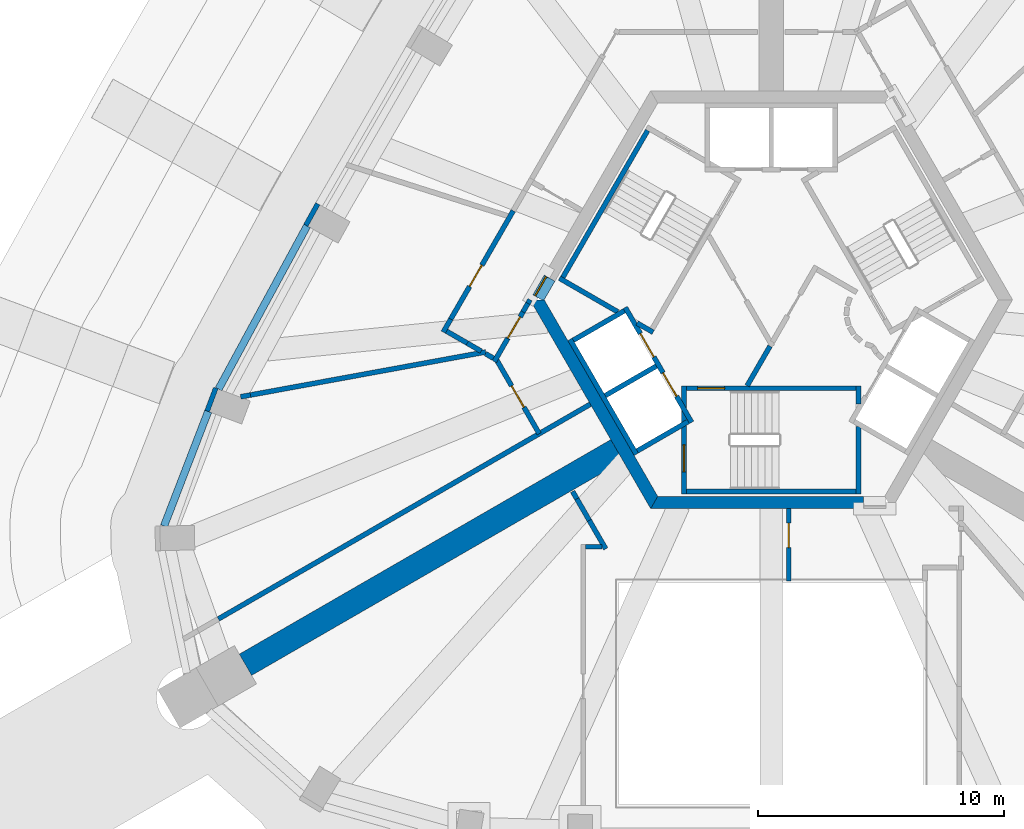
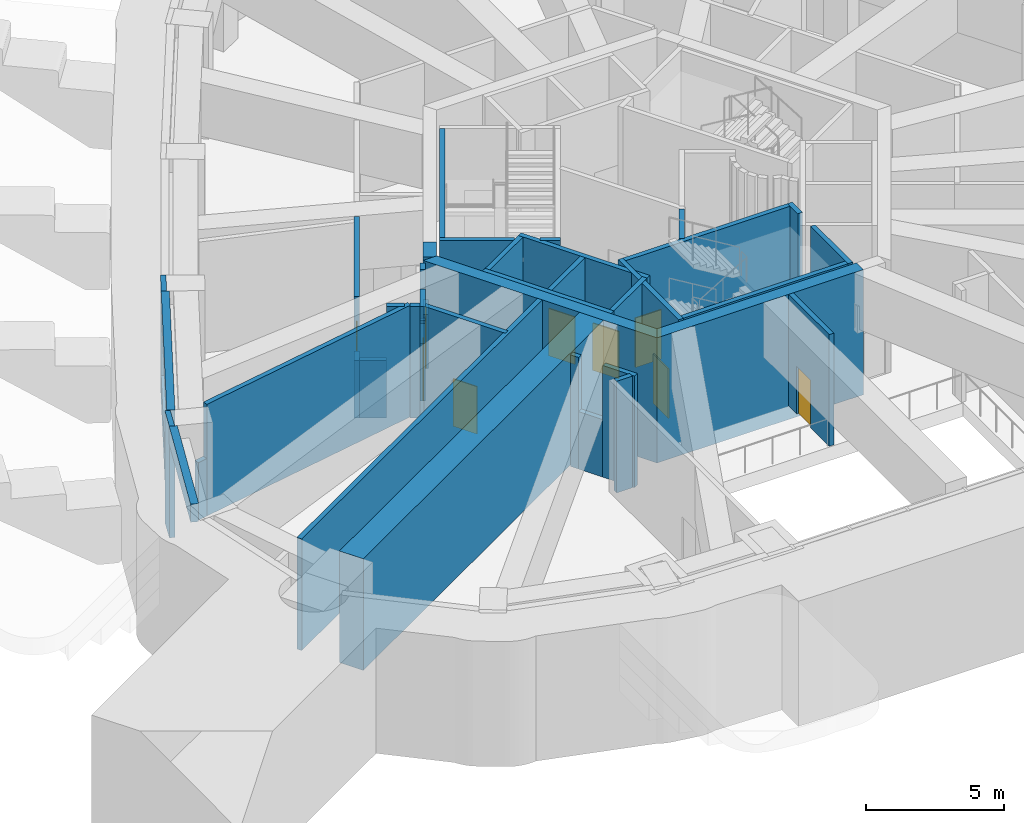
# One storey, part 4 of 15: 42 walls, 9 doors, 9 openings.
"""IFC4 building model written with IfcOpenShell, lengths in metres."""

from ifc_helpers import new_model, si_unit, direction, frame, frame_2d, origin, place, context, subcontext, project, spatial, polyline, rectangle, outline, extrude, material, layer, layer_set, type_object, element, fill, save


model = new_model("IFC4")

# Units and contexts
model_context = context("Model", 3, precision=1e-05, world=origin(), true_north=direction((0.0, 1.0)))
body_context = subcontext(model_context, "Body", "Model", "MODEL_VIEW")
ifc_project = project(units=[si_unit("LENGTHUNIT", "METRE"), si_unit("AREAUNIT", "SQUARE_METRE"), si_unit("VOLUMEUNIT", "CUBIC_METRE"), si_unit("PLANEANGLEUNIT", "RADIAN"), si_unit("MASSUNIT", "GRAM", prefix="KILO")], contexts=[model_context])

# Site, building, storey
site_placement = place(None, origin())
site = spatial("IfcSite", under=ifc_project, at=site_placement, CompositionType="ELEMENT")
building_placement = place(site_placement, origin())
building = spatial("IfcBuilding", under=site, at=building_placement, Name="Entoto Arch Interchange Tower", CompositionType="ELEMENT")
storey_placement = place(building_placement, frame((0.0, 0.0, 326.0)))
storey = spatial("IfcBuildingStorey", under=building, at=storey_placement, Name="L77", CompositionType="ELEMENT", Elevation=326.0)

# Wall, opening, door
ifc_material_1 = material(Name="Reinforced concrete C40/50", Category="concrete")
ifc_layer_1 = layer(ifc_material_1, 0.199951171875)
ifc_layer_set_1 = layer_set([ifc_layer_1], Name="Reinforced concrete C40/50")
wall_type_1 = type_object("IfcWallType", Name="CORE GAP INFILL WALL", PredefinedType="PARTITIONING", material=ifc_layer_set_1)
wall_1_placement = place(storey_placement, frame((-9.14990234375, 3.451904296875, 0.0), z_axis=(0.0, 0.0, 1.0), x_axis=(-0.500079945886, -0.865979242085, 0.0)))
wall_1 = element("IfcWall", 1, at=wall_1_placement, inside=storey, type_object=wall_type_1, Name="wall:L77:gap3", PredefinedType="PARTITIONING", context=body_context, shape_type="SweptSolid", body=[
    extrude(rectangle(XDim=0.926025390625, YDim=0.199951171875, at=frame_2d((0.462890625, 0.0))), origin(), (0.0, 0.0, 1.0), 2.39990234375),
])
opening_1_placement = place(wall_1_placement, frame((0.01708984375, 0.0, 0.0)))
opening_1 = element("IfcOpeningElement", 2, at=opening_1_placement, cuts=wall_1, Name="Opening L77-D93", PredefinedType="OPENING", context=body_context, shape_type="SweptSolid", body=[
    extrude(rectangle(XDim=0.89990234375, YDim=2.10009765625, at=frame_2d((0.449951171875, 1.050048828125))), frame((0.0, 0.10986328125, 0.0), z_axis=(0.0, -1.0, 0.0), x_axis=(1.0, 0.0, 0.0)), (0.0, 0.0, 1.0), 0.219970703125),
])
ifc_material_2 = material(Name="Fire-rated Steel S235 door and frame", Category="steel")
door_type_1 = type_object("IfcDoorType", Name="DOOR FD-09 900x2100", OperationType="SINGLE_SWING_LEFT", PredefinedType="DOOR", material=ifc_material_2)
door_1_placement = place(opening_1_placement, origin())
door_1 = element("IfcDoor", 3, at=door_1_placement, inside=storey, type_object=door_type_1, Name="door:L77:gap3", OperationType="SINGLE_SWING_LEFT", OverallHeight=2.10009765625, OverallWidth=0.89990234375, PredefinedType="DOOR", context=body_context, shape_type="SweptSolid", body=[
    extrude(rectangle(XDim=0.89990234375, YDim=2.10009765625, at=frame_2d((0.449951171875, 1.050048828125))), frame((0.0, 0.02490234375, 0.0), z_axis=(0.0, -1.0, 0.0), x_axis=(1.0, 0.0, 0.0)), (0.0, 0.0, 1.0), 0.050048828125),
])
fill(opening_1, door_1)

# Walls
ifc_material_3 = material(Name="Concrete C40/50", Category="concrete")
ifc_layer_2 = layer(ifc_material_3, 0.5)
ifc_layer_set_2 = layer_set([ifc_layer_2], Name="Concrete C40/50")
wall_type_2 = type_object("IfcWallType", Name="Core wall 500 C40/50", PredefinedType="SHEAR", material=ifc_layer_set_2)
wall_2_placement = place(storey_placement, frame((0.0, 0.0, 3.60009765625)))
element("IfcWall", 4, at=wall_2_placement, inside=storey, type_object=wall_type_2, Name="Core wall lintel NW L77", PredefinedType="SHEAR", context=body_context, shape_type="SweptSolid", body=[
    extrude(outline(polyline([(-9.699951171875, 2.699951171875), (-9.35400390625, 2.5), (-9.238037109375, 2.5), (-8.802978515625, 3.2529296875), (-9.236083984375, 3.501953125), (-9.699951171875, 2.699951171875)])), origin(), (0.0, 0.0, 1.0), 1.349853515625),
])
wall_3_placement = place(storey_placement, frame((0.0, 0.0, -0.60009765625)))
element("IfcWall", 5, at=wall_3_placement, inside=storey, type_object=wall_type_2, Name="Core wall SW L77", PredefinedType="SHEAR", context=body_context, shape_type="SweptSolid", body=[
    extrude(outline(polyline([(-9.81494140625, 2.5), (-4.906982421875, -6.0), (-4.618896484375, -5.5), (-9.238037109375, 2.5), (-9.81494140625, 2.5)])), origin(), (0.0, 0.0, 1.0), 5.550048828125),
])
wall_4_placement = place(storey_placement, frame((0.0, 0.0, -0.60009765625)))
element("IfcWall", 6, at=wall_4_placement, inside=storey, type_object=wall_type_2, Name="Core wall S L77", PredefinedType="SHEAR", context=body_context, shape_type="SweptSolid", body=[
    extrude(outline(polyline([(3.75, -6.0), (3.75, -5.5), (-4.618896484375, -5.5), (-4.906982421875, -6.0), (3.75, -6.0)])), origin(), (0.0, 0.0, 1.0), 5.550048828125),
])

# Wall, openings, doors
ifc_layer_3 = layer(ifc_material_3, 0.199951171875)
ifc_layer_set_3 = layer_set([ifc_layer_3], Name="Concrete C40/50")
wall_type_3 = type_object("IfcWallType", Name="LIFT SHAFT WALL 200", PredefinedType="STANDARD", material=ifc_layer_set_3)
wall_5_placement = place(storey_placement, frame((-5.93994140625, 2.18798828125, 0.0), z_axis=(0.0, 0.0, 1.0), x_axis=(0.500034260056, -0.866005622828, 0.0)))
wall_5 = element("IfcWall", 7, at=wall_5_placement, inside=storey, type_object=wall_type_3, Name="Shaft wall SW1 front", PredefinedType="STANDARD", context=body_context, shape_type="SweptSolid", body=[
    extrude(rectangle(XDim=5.3994140625, YDim=0.199951171875, at=frame_2d((2.69970703125, 0.0))), origin(), (0.0, 0.0, 1.0), 4.949951171875),
])
opening_2_placement = place(wall_5_placement, frame((3.074951171875, 0.0, 0.0)))
opening_2 = element("IfcOpeningElement", 8, at=opening_2_placement, cuts=wall_5, Name="Opening LD-HR4-L77", PredefinedType="OPENING", context=body_context, shape_type="SweptSolid", body=[
    extrude(rectangle(XDim=1.10009765625, YDim=2.10009765625, at=frame_2d((0.550048828125, 1.050048828125))), frame((0.0, 0.10986328125, 0.0), z_axis=(0.0, -1.0, 0.0), x_axis=(1.0, 0.0, 0.0)), (0.0, 0.0, 1.0), 0.219970703125),
])
opening_3_placement = place(wall_5_placement, frame((1.22509765625, 0.0, 0.0)))
opening_3 = element("IfcOpeningElement", 9, at=opening_3_placement, cuts=wall_5, Name="Opening LD-FF2-L77", PredefinedType="OPENING", context=body_context, shape_type="SweptSolid", body=[
    extrude(rectangle(XDim=1.10009765625, YDim=2.10009765625, at=frame_2d((0.550048828125, 1.050048828125))), frame((0.0, 0.10986328125, 0.0), z_axis=(0.0, -1.0, 0.0), x_axis=(1.0, 0.0, 0.0)), (0.0, 0.0, 1.0), 0.219970703125),
])
ifc_material_4 = material(Name="Stainless steel 1.4301 panels", Category="steel")
door_type_2 = type_object("IfcDoorType", Name="LIFT LANDING DOOR LD1 1100x2100", OperationType="SLIDING_TO_LEFT", PredefinedType="DOOR", material=ifc_material_4)
door_2_placement = place(opening_2_placement, origin())
door_2 = element("IfcDoor", 10, at=door_2_placement, inside=storey, type_object=door_type_2, Name="Lift landing door HR4 L77", OperationType="SLIDING_TO_LEFT", OverallHeight=2.10009765625, OverallWidth=1.10009765625, PredefinedType="DOOR", context=body_context, shape_type="SweptSolid", body=[
    extrude(rectangle(XDim=1.10009765625, YDim=2.10009765625, at=frame_2d((0.550048828125, 1.050048828125))), frame((0.0, 0.02490234375, 0.0), z_axis=(0.0, -1.0, 0.0), x_axis=(1.0, 0.0, 0.0)), (0.0, 0.0, 1.0), 0.050048828125),
])
fill(opening_2, door_2)
door_3_placement = place(opening_3_placement, origin())
door_3 = element("IfcDoor", 11, at=door_3_placement, inside=storey, type_object=door_type_2, Name="Lift landing door FF2 L77", OperationType="SLIDING_TO_LEFT", OverallHeight=2.10009765625, OverallWidth=1.10009765625, PredefinedType="DOOR", context=body_context, shape_type="SweptSolid", body=[
    extrude(rectangle(XDim=1.10009765625, YDim=2.10009765625, at=frame_2d((0.550048828125, 1.050048828125))), frame((0.0, 0.02490234375, 0.0), z_axis=(0.0, -1.0, 0.0), x_axis=(1.0, 0.0, 0.0)), (0.0, 0.0, 1.0), 0.050048828125),
])
fill(opening_3, door_3)

# Walls
wall_6_placement = place(storey_placement, frame((-8.19189453125, 0.887939453125, 0.0), z_axis=(0.0, 0.0, 1.0), x_axis=(0.500034260056, -0.866005622828, 0.0)))
element("IfcWall", 12, at=wall_6_placement, inside=storey, type_object=wall_type_3, Name="Shaft wall SW1 back", PredefinedType="STANDARD", context=body_context, shape_type="SweptSolid", body=[
    extrude(rectangle(XDim=5.3994140625, YDim=0.199951171875, at=frame_2d((2.69970703125, 0.0))), origin(), (0.0, 0.0, 1.0), 4.949951171875),
])
for number, where, z_axis, x_axis, name in (
    (13, (-5.97705078125, 2.052001953125, 0.0), (0.0, 0.0, 1.0), (-0.865973769406, -0.500089422704, 0.0), "Shaft wall SW1 cross 1"),
    (14, (-4.677001953125, -0.199951171875, 0.0), (0.0, 0.0, 1.0), (-0.865973769406, -0.500089422704, 0.0), "Shaft wall SW1 cross 2"),
):
    element("IfcWall", number, at=place(storey_placement, frame(where, z_axis=z_axis, x_axis=x_axis)), inside=storey, type_object=wall_type_3, Name=name, PredefinedType="STANDARD", context=body_context, shape_type="SweptSolid", body=[
        extrude(rectangle(XDim=2.3994140625, YDim=0.199951171875, at=frame_2d((1.19970703125, 0.0))), origin(), (0.0, 0.0, 1.0), 4.949951171875),
    ])
wall_7_placement = place(storey_placement, frame((-3.376953125, -2.451904296875, 0.0), z_axis=(0.0, 0.0, 1.0), x_axis=(-0.865955154139, -0.50012165622, 0.0)))
element("IfcWall", 15, at=wall_7_placement, inside=storey, type_object=wall_type_3, Name="Shaft wall SW1 cross 3", PredefinedType="STANDARD", context=body_context, shape_type="SweptSolid", body=[
    extrude(rectangle(XDim=2.39990234375, YDim=0.199951171875, at=frame_2d((1.199951171875, 0.0))), origin(), (0.0, 0.0, 1.0), 4.949951171875),
])
ifc_layer_4 = layer(ifc_material_3, 1.0)
ifc_layer_set_4 = layer_set([ifc_layer_4], Name="Concrete C40/50")
wall_type_4 = type_object("IfcWallType", Name="Outrigger wall 1000 C40/50", PredefinedType="SHEAR", material=ifc_layer_set_4)
wall_8_placement = place(storey_placement, frame((-6.279052734375, -3.625, 0.0), z_axis=(0.0, 0.0, 1.0), x_axis=(-0.866025543801, -0.499999757484, 0.0)))
element("IfcWall", 16, at=wall_8_placement, inside=storey, type_object=wall_type_4, Name="Outrigger wall SW L77", PredefinedType="SHEAR", context=body_context, shape_type="SweptSolid", body=[
    extrude(rectangle(XDim=17.4521484375, YDim=1.0, at=frame_2d((8.72607421875, 0.0))), origin(), (0.0, 0.0, 1.0), 4.949951171875),
])
ifc_material_5 = material(Name="Gypsum board partition on steel studs", Category="steel")
ifc_layer_5 = layer(ifc_material_5, 0.199951171875)
ifc_layer_set_5 = layer_set([ifc_layer_5], Name="Gypsum board partition on steel studs")
wall_type_5 = type_object("IfcWallType", Name="PARTITION 200", PredefinedType="PARTITIONING", material=ifc_layer_set_5)
wall_9_placement = place(storey_placement, frame((-0.98193359375, -1.0, 0.0), z_axis=(0.0, 0.0, 1.0), x_axis=(0.50024047865, 0.865886518847, 0.0)))
element("IfcWall", 17, at=wall_9_placement, inside=storey, type_object=wall_type_5, Name="wall:L77:p001", PredefinedType="PARTITIONING", context=body_context, shape_type="SweptSolid", body=[
    extrude(rectangle(XDim=1.86279296875, YDim=0.199951171875, at=frame_2d((0.931396484375, 0.0))), origin(), (0.0, 0.0, 1.0), 4.949951171875),
])

# Wall, opening, door
wall_10_placement = place(storey_placement, frame((0.712890625, -6.0, 0.0), z_axis=(0.0, 0.0, 1.0), x_axis=(0.0, -1.0, 0.0)))
wall_10 = element("IfcWall", 18, at=wall_10_placement, inside=storey, type_object=wall_type_5, Name="wall:L77:p013", PredefinedType="PARTITIONING", context=body_context, shape_type="SweptSolid", body=[
    extrude(rectangle(XDim=2.949951171875, YDim=0.199951171875, at=frame_2d((1.47509765625, 0.0))), origin(), (0.0, 0.0, 1.0), 4.949951171875),
])
opening_4_placement = place(wall_10_placement, frame((0.5859375, 0.0, 0.0)))
opening_4 = element("IfcOpeningElement", 19, at=opening_4_placement, cuts=wall_10, Name="Opening L77-D01", PredefinedType="OPENING", context=body_context, shape_type="SweptSolid", body=[
    extrude(rectangle(XDim=1.0, YDim=2.10009765625, at=frame_2d((0.5, 1.050048828125))), frame((0.0, 0.10986328125, 0.0), z_axis=(0.0, -1.0, 0.0), x_axis=(1.0, 0.0, 0.0)), (0.0, 0.0, 1.0), 0.219970703125),
])
door_type_3 = type_object("IfcDoorType", Name="DOOR FD-10 1000x2100", OperationType="SINGLE_SWING_LEFT", PredefinedType="DOOR", material=ifc_material_2)
door_4_placement = place(opening_4_placement, origin())
door_4 = element("IfcDoor", 20, at=door_4_placement, inside=storey, type_object=door_type_3, Name="door:L77:01", OperationType="SINGLE_SWING_RIGHT", OverallHeight=2.10009765625, OverallWidth=1.0, PredefinedType="DOOR", context=body_context, shape_type="SweptSolid", body=[
    extrude(rectangle(XDim=1.0, YDim=2.10009765625, at=frame_2d((0.5, 1.050048828125))), frame((0.0, 0.02490234375, 0.0), z_axis=(0.0, -1.0, 0.0), x_axis=(1.0, 0.0, 0.0)), (0.0, 0.0, 1.0), 0.050048828125),
])
fill(opening_4, door_4)

# Walls
wall_11_placement = place(storey_placement, frame((-7.550048828125, -7.550048828125, 0.0), z_axis=(0.0, 0.0, 1.0), x_axis=(1.0, 0.0, 0.0)))
element("IfcWall", 21, at=wall_11_placement, inside=storey, type_object=wall_type_5, Name="wall:L77:p021", PredefinedType="PARTITIONING", context=body_context, shape_type="SweptSolid", body=[
    extrude(rectangle(XDim=0.666015625, YDim=0.199951171875, at=frame_2d((0.3330078125, 0.0))), origin(), (0.0, 0.0, 1.0), 4.949951171875),
])
wall_12_placement = place(storey_placement, frame((-6.73388671875, -7.636962890625, 0.0), z_axis=(0.0, 0.0, 1.0), x_axis=(-0.500043546414, 0.866000260791, 0.0)))
element("IfcWall", 22, at=wall_12_placement, inside=storey, type_object=wall_type_5, Name="wall:L77:p022", PredefinedType="PARTITIONING", context=body_context, shape_type="SweptSolid", body=[
    extrude(rectangle(XDim=1.33837890625, YDim=0.199951171875, at=frame_2d((0.669189453125, 0.0))), origin(), (0.0, 0.0, 1.0), 4.949951171875),
])
wall_13_placement = place(storey_placement, frame((-9.81494140625, 2.5, 0.0), z_axis=(0.0, 0.0, 1.0), x_axis=(-0.5004692653, -0.865754303766, 0.0)))
element("IfcWall", 23, at=wall_13_placement, inside=storey, type_object=wall_type_5, Name="wall:L77:p039", PredefinedType="PARTITIONING", context=body_context, shape_type="SweptSolid", body=[
    extrude(rectangle(XDim=0.169677734375, YDim=0.199951171875, at=frame_2d((0.0849609375, 0.0))), origin(), (0.0, 0.0, 1.0), 2.39990234375),
])
wall_14_placement = place(storey_placement, frame((-11.802001953125, 0.406982421875, 0.0), z_axis=(0.0, 0.0, 1.0), x_axis=(-0.865911816314, 0.500196687681, 0.0)))
element("IfcWall", 24, at=wall_14_placement, inside=storey, type_object=wall_type_5, Name="wall:L77:p040", PredefinedType="PARTITIONING", context=body_context, shape_type="SweptSolid", body=[
    extrude(rectangle(XDim=0.653564453125, YDim=0.199951171875, at=frame_2d((0.32666015625, 0.0))), origin(), (0.0, 0.0, 1.0), 4.949951171875),
])
wall_15_placement = place(storey_placement, frame((-13.345947265625, 1.18310546875, 0.0), z_axis=(0.0, 0.0, 1.0), x_axis=(0.500230888849, 0.865892059001, 0.0)))
element("IfcWall", 25, at=wall_15_placement, inside=storey, type_object=wall_type_5, Name="wall:L77:p041", PredefinedType="PARTITIONING", context=body_context, shape_type="SweptSolid", body=[
    extrude(rectangle(XDim=0.609619140625, YDim=0.199951171875, at=frame_2d((0.3046875, 0.0))), origin(), (0.0, 0.0, 1.0), 2.550048828125),
])
wall_16_placement = place(storey_placement, frame((-11.304931640625, 0.1201171875, 0.0), z_axis=(0.0, 0.0, 1.0), x_axis=(-0.865694957185, 0.500571914019, 0.0)))
element("IfcWall", 26, at=wall_16_placement, inside=storey, type_object=wall_type_5, Name="wall:L77:p042", PredefinedType="PARTITIONING", context=body_context, shape_type="SweptSolid", body=[
    extrude(rectangle(XDim=0.373046875, YDim=0.199951171875, at=frame_2d((0.1865234375, 0.0))), origin(), (0.0, 0.0, 1.0), 4.949951171875),
])

# Wall, opening, door
wall_17_placement = place(storey_placement, frame((-9.43994140625, -2.949951171875, 0.0), z_axis=(0.0, 0.0, 1.0), x_axis=(-0.500008478926, 0.866020508419, 0.0)))
wall_17 = element("IfcWall", 27, at=wall_17_placement, inside=storey, type_object=wall_type_5, Name="wall:L77:p045", PredefinedType="PARTITIONING", context=body_context, shape_type="SweptSolid", body=[
    extrude(rectangle(XDim=3.52197265625, YDim=0.199951171875, at=frame_2d((1.760986328125, 0.0))), origin(), (0.0, 0.0, 1.0), 4.949951171875),
])
opening_5_placement = place(wall_17_placement, frame((1.2451171875, 0.0, 0.0)))
opening_5 = element("IfcOpeningElement", 28, at=opening_5_placement, cuts=wall_17, Name="Opening L77-D14", PredefinedType="OPENING", context=body_context, shape_type="SweptSolid", body=[
    extrude(rectangle(XDim=1.0, YDim=2.10009765625, at=frame_2d((0.5, 1.050048828125))), frame((0.0, 0.10986328125, 0.0), z_axis=(0.0, -1.0, 0.0), x_axis=(1.0, 0.0, 0.0)), (0.0, 0.0, 1.0), 0.219970703125),
])
door_5_placement = place(opening_5_placement, origin())
door_5 = element("IfcDoor", 29, at=door_5_placement, inside=storey, type_object=door_type_3, Name="door:L77:14", OperationType="SINGLE_SWING_LEFT", OverallHeight=2.10009765625, OverallWidth=1.0, PredefinedType="DOOR", context=body_context, shape_type="SweptSolid", body=[
    extrude(rectangle(XDim=1.0, YDim=2.10009765625, at=frame_2d((0.5, 1.050048828125))), frame((0.0, 0.02490234375, 0.0), z_axis=(0.0, -1.0, 0.0), x_axis=(1.0, 0.0, 0.0)), (0.0, 0.0, 1.0), 0.050048828125),
])
fill(opening_5, door_5)

# Walls
wall_18_placement = place(storey_placement, frame((-11.616943359375, 0.375, 0.0), z_axis=(0.0, 0.0, 1.0), x_axis=(-0.983680709819, -0.179922931086, 0.0)))
element("IfcWall", 30, at=wall_18_placement, inside=storey, type_object=wall_type_5, Name="wall:L77:p047", PredefinedType="PARTITIONING", context=body_context, shape_type="SweptSolid", body=[
    extrude(rectangle(XDim=9.73193359375, YDim=0.199951171875, at=frame_2d((4.865966796875, 0.0))), origin(), (0.0, 0.0, 1.0), 4.949951171875),
])
wall_19_placement = place(storey_placement, frame((-7.403076171875, -6.47802734375, 0.0), z_axis=(0.0, 0.0, 1.0), x_axis=(-0.499666781426, 0.866217702163, 0.0)))
element("IfcWall", 31, at=wall_19_placement, inside=storey, type_object=wall_type_5, Name="wall:L77:p022", PredefinedType="PARTITIONING", context=body_context, shape_type="SweptSolid", body=[
    extrude(rectangle(XDim=1.012451171875, YDim=0.199951171875, at=frame_2d((0.50634765625, 0.0))), origin(), (0.0, 0.0, 1.0), 2.550048828125),
])
wall_20_placement = place(storey_placement, frame((-7.908935546875, -5.60107421875, 0.0), z_axis=(0.0, 0.0, 1.0), x_axis=(-0.499702115105, 0.866197319414, 0.0)))
element("IfcWall", 32, at=wall_20_placement, inside=storey, type_object=wall_type_5, Name="wall:L77:p022", PredefinedType="PARTITIONING", context=body_context, shape_type="SweptSolid", body=[
    extrude(rectangle(XDim=0.346435546875, YDim=0.199951171875, at=frame_2d((0.17333984375, 0.0))), origin(), (0.0, 0.0, 1.0), 4.949951171875),
])
wall_21_placement = place(storey_placement, frame((-22.4970703125, -10.489013671875, 0.0), z_axis=(0.0, 0.0, 1.0), x_axis=(0.866019262169, 0.500010637439, 0.0)))
element("IfcWall", 33, at=wall_21_placement, inside=storey, type_object=wall_type_5, Name="wall:L77:p024", PredefinedType="PARTITIONING", context=body_context, shape_type="SweptSolid", body=[
    extrude(rectangle(XDim=17.4775390625, YDim=0.199951171875, at=frame_2d((8.73876953125, 0.0))), origin(), (0.0, 0.0, 1.0), 4.949951171875),
])
wall_22_placement = place(storey_placement, frame((-9.89990234375, 2.35302734375, 0.0), z_axis=(0.0, 0.0, 1.0), x_axis=(-0.499267785915, -0.866447735266, 0.0)))
element("IfcWall", 34, at=wall_22_placement, inside=storey, type_object=wall_type_5, Name="wall:L77:p039", PredefinedType="PARTITIONING", context=body_context, shape_type="SweptSolid", body=[
    extrude(rectangle(XDim=0.40283203125, YDim=0.199951171875, at=frame_2d((0.201416015625, 0.0))), origin(), (0.0, 0.0, 1.0), 4.949951171875),
])

# Wall, opening, door
wall_23_placement = place(storey_placement, frame((-10.10107421875, 2.00390625, 0.0), z_axis=(0.0, 0.0, 1.0), x_axis=(-0.50008261738, -0.865977699363, 0.0)))
wall_23 = element("IfcWall", 35, at=wall_23_placement, inside=storey, type_object=wall_type_5, Name="wall:L77:p039", PredefinedType="PARTITIONING", context=body_context, shape_type="SweptSolid", body=[
    extrude(rectangle(XDim=1.251708984375, YDim=0.199951171875, at=frame_2d((0.6259765625, 0.0))), origin(), (0.0, 0.0, 1.0), 2.550048828125),
])
opening_6_placement = place(wall_23_placement, frame((0.23095703125, 0.0, 0.0)))
opening_6 = element("IfcOpeningElement", 36, at=opening_6_placement, cuts=wall_23, Name="Opening L77-D11", PredefinedType="OPENING", context=body_context, shape_type="SweptSolid", body=[
    extrude(rectangle(XDim=1.0, YDim=2.10009765625, at=frame_2d((0.5, 1.050048828125))), frame((0.0, 0.10986328125, 0.0), z_axis=(0.0, -1.0, 0.0), x_axis=(1.0, 0.0, 0.0)), (0.0, 0.0, 1.0), 0.219970703125),
])
door_6_placement = place(opening_6_placement, origin())
door_6 = element("IfcDoor", 37, at=door_6_placement, inside=storey, type_object=door_type_3, Name="door:L77:11", OperationType="SINGLE_SWING_RIGHT", OverallHeight=2.10009765625, OverallWidth=1.0, PredefinedType="DOOR", context=body_context, shape_type="SweptSolid", body=[
    extrude(rectangle(XDim=1.0, YDim=2.10009765625, at=frame_2d((0.5, 1.050048828125))), frame((0.0, 0.02490234375, 0.0), z_axis=(0.0, -1.0, 0.0), x_axis=(1.0, 0.0, 0.0)), (0.0, 0.0, 1.0), 0.050048828125),
])
fill(opening_6, door_6)

# Walls
wall_24_placement = place(storey_placement, frame((-10.72705078125, 0.919921875, 0.0), z_axis=(0.0, 0.0, 1.0), x_axis=(-0.500021943523, -0.866012734315, 0.0)))
element("IfcWall", 38, at=wall_24_placement, inside=storey, type_object=wall_type_5, Name="wall:L77:p039", PredefinedType="PARTITIONING", context=body_context, shape_type="SweptSolid", body=[
    extrude(rectangle(XDim=1.08203125, YDim=0.199951171875, at=frame_2d((0.541015625, 0.0))), origin(), (0.0, 0.0, 1.0), 4.949951171875),
])
wall_25_placement = place(storey_placement, frame((-12.367919921875, 0.73388671875, 0.0), z_axis=(0.0, 0.0, 1.0), x_axis=(-0.865804585852, 0.500382272985, 0.0)))
element("IfcWall", 39, at=wall_25_placement, inside=storey, type_object=wall_type_5, Name="wall:L77:p040", PredefinedType="PARTITIONING", context=body_context, shape_type="SweptSolid", body=[
    extrude(rectangle(XDim=0.971435546875, YDim=0.199951171875, at=frame_2d((0.48583984375, 0.0))), origin(), (0.0, 0.0, 1.0), 2.550048828125),
])

# Wall, opening, door
wall_26_placement = place(storey_placement, frame((-13.041015625, 1.7109375, 0.0), z_axis=(0.0, 0.0, 1.0), x_axis=(0.499853954338, 0.866109706869, 0.0)))
wall_26 = element("IfcWall", 40, at=wall_26_placement, inside=storey, type_object=wall_type_5, Name="wall:L77:p041", PredefinedType="PARTITIONING", context=body_context, shape_type="SweptSolid", body=[
    extrude(rectangle(XDim=5.08935546875, YDim=0.199951171875, at=frame_2d((2.544677734375, 0.0))), origin(), (0.0, 0.0, 1.0), 4.949951171875),
])
opening_7_placement = place(wall_26_placement, frame((1.532958984375, 0.0, 0.0)))
opening_7 = element("IfcOpeningElement", 41, at=opening_7_placement, cuts=wall_26, Name="Opening L77-D12", PredefinedType="OPENING", context=body_context, shape_type="SweptSolid", body=[
    extrude(rectangle(XDim=1.0, YDim=2.10009765625, at=frame_2d((0.5, 1.050048828125))), frame((0.0, 0.10986328125, 0.0), z_axis=(0.0, -1.0, 0.0), x_axis=(1.0, 0.0, 0.0)), (0.0, 0.0, 1.0), 0.219970703125),
])
door_7_placement = place(opening_7_placement, origin())
door_7 = element("IfcDoor", 42, at=door_7_placement, inside=storey, type_object=door_type_3, Name="door:L77:12", OperationType="SINGLE_SWING_LEFT", OverallHeight=2.10009765625, OverallWidth=1.0, PredefinedType="DOOR", context=body_context, shape_type="SweptSolid", body=[
    extrude(rectangle(XDim=1.0, YDim=2.10009765625, at=frame_2d((0.5, 1.050048828125))), frame((0.0, 0.02490234375, 0.0), z_axis=(0.0, -1.0, 0.0), x_axis=(1.0, 0.0, 0.0)), (0.0, 0.0, 1.0), 0.050048828125),
])
fill(opening_7, door_7)

# Walls
wall_27_placement = place(storey_placement, frame((-21.18994140625, -1.3759765625, 0.0), z_axis=(0.0, 0.0, 1.0), x_axis=(-0.983764099446, -0.179466422046, 0.0)))
element("IfcWall", 43, at=wall_27_placement, inside=storey, type_object=wall_type_5, Name="wall:L77:p047", PredefinedType="PARTITIONING", context=body_context, shape_type="SweptSolid", body=[
    extrude(rectangle(XDim=0.40673828125, YDim=0.199951171875, at=frame_2d((0.203369140625, 0.0))), origin(), (0.0, 0.0, 1.0), 2.550048828125),
])
ifc_material_6 = material(Name="Board-marked precast concrete C50/60", Category="concrete")
ifc_layer_6 = layer(ifc_material_6, 0.199951171875)
ifc_layer_set_6 = layer_set([ifc_layer_6], Name="Board-marked precast concrete C50/60")
wall_type_6 = type_object("IfcWallType", Name="PRECAST FRAME WALL 200", PredefinedType="STANDARD", material=ifc_layer_set_6)
wall_28_placement = place(storey_placement, frame((-18.449951171875, 6.404052734375, 0.0), z_axis=(0.0, 0.0, 1.0), x_axis=(-0.486036693078, -0.873938403425, 0.0)))
element("IfcWall", 44, at=wall_28_placement, inside=storey, type_object=wall_type_6, Name="Frame pier NW03 L77", PredefinedType="STANDARD", context=body_context, shape_type="SweptSolid", body=[
    extrude(rectangle(XDim=1.0, YDim=0.199951171875, at=frame_2d((0.5, 0.0))), origin(), (0.0, 0.0, 1.0), 4.949951171875),
])
wall_29_placement = place(storey_placement, frame((-22.60107421875, -1.092041015625, 0.0), z_axis=(0.0, 0.0, 1.0), x_axis=(-0.350962844851, -0.936389385637, 0.0)))
element("IfcWall", 45, at=wall_29_placement, inside=storey, type_object=wall_type_6, Name="Frame pier NW04 L77", PredefinedType="STANDARD", context=body_context, shape_type="SweptSolid", body=[
    extrude(rectangle(XDim=0.99951171875, YDim=0.199951171875, at=frame_2d((0.499755859375, 0.0))), origin(), (0.0, 0.0, 1.0), 4.949951171875),
])
ifc_layer_7 = layer(ifc_material_6, 0.300048828125)
ifc_layer_set_7 = layer_set([ifc_layer_7], Name="Board-marked precast concrete C50/60")
wall_type_7 = type_object("IfcWallType", Name="PRECAST FRAME WALL 300", PredefinedType="STANDARD", material=ifc_layer_set_7)
wall_30_placement = place(storey_placement, frame((-18.886962890625, 5.50390625, 0.0), z_axis=(0.0, 0.0, 1.0), x_axis=(-0.476794367741, -0.879014863862, 0.0)))
element("IfcWall", 46, at=wall_30_placement, inside=storey, type_object=wall_type_7, Name="Frame sill wall NW-03 L77", PredefinedType="STANDARD", context=body_context, shape_type="SweptSolid", body=[
    extrude(rectangle(XDim=7.552734375, YDim=0.300048828125, at=frame_2d((3.7763671875, 0.0))), origin(), (0.0, 0.0, 1.0), 1.199951171875),
])
wall_31_placement = place(storey_placement, frame((-18.886962890625, 5.50390625, 4.14990234375), z_axis=(0.0, 0.0, 1.0), x_axis=(-0.476794367741, -0.879014863862, 0.0)))
element("IfcWall", 47, at=wall_31_placement, inside=storey, type_object=wall_type_7, Name="Frame head wall NW-03 L77", PredefinedType="STANDARD", context=body_context, shape_type="SweptSolid", body=[
    extrude(rectangle(XDim=7.552734375, YDim=0.300048828125, at=frame_2d((3.7763671875, 0.0))), origin(), (0.0, 0.0, 1.0), 0.800048828125),
])
wall_32_placement = place(storey_placement, frame((-22.908935546875, -2.04296875, 4.14990234375), z_axis=(0.0, 0.0, 1.0), x_axis=(-0.35964980127, -0.933087359493, 0.0)))
element("IfcWall", 48, at=wall_32_placement, inside=storey, type_object=wall_type_7, Name="Frame head wall SW-01 L77", PredefinedType="STANDARD", context=body_context, shape_type="SweptSolid", body=[
    extrude(rectangle(XDim=4.99951171875, YDim=0.300048828125, at=frame_2d((2.499755859375, 0.0))), origin(), (0.0, 0.0, 1.0), 0.800048828125),
])

# Wall, opening, door
ifc_layer_8 = layer(ifc_material_3, 0.199951171875)
ifc_layer_set_8 = layer_set([ifc_layer_8], Name="Concrete C40/50")
wall_type_8 = type_object("IfcWallType", Name="STAIR ENCLOSURE WALL 200", PredefinedType="STANDARD", material=ifc_layer_set_8)
wall_33_placement = place(storey_placement, frame((-3.550048828125, -1.0, 0.0), z_axis=(0.0, 0.0, 1.0), x_axis=(0.0, -1.0, 0.0)))
wall_33 = element("IfcWall", 49, at=wall_33_placement, inside=storey, type_object=wall_type_8, Name="Stair wall ST-S near", PredefinedType="STANDARD", context=body_context, shape_type="SweptSolid", body=[
    extrude(rectangle(XDim=4.39990234375, YDim=0.199951171875, at=frame_2d((2.199951171875, 0.0))), origin(), (0.0, 0.0, 1.0), 4.949951171875),
])
opening_8_placement = place(wall_33_placement, frame((2.39990234375, 0.0, 0.0)))
opening_8 = element("IfcOpeningElement", 50, at=opening_8_placement, cuts=wall_33, Name="Opening SD-ST-S-L77-E", PredefinedType="OPENING", context=body_context, shape_type="SweptSolid", body=[
    extrude(rectangle(XDim=1.10009765625, YDim=2.199951171875, at=frame_2d((0.550048828125, 1.10009765625))), frame((0.0, 0.10986328125, 0.0), z_axis=(0.0, -1.0, 0.0), x_axis=(1.0, 0.0, 0.0)), (0.0, 0.0, 1.0), 0.219970703125),
])
ifc_material_7 = material(Name="Steel S235", Category="steel")
door_type_4 = type_object("IfcDoorType", Name="STAIR DOOR SD1 1100x2200", OperationType="SINGLE_SWING_LEFT", PredefinedType="DOOR", material=ifc_material_7)
door_8_placement = place(opening_8_placement, origin())
door_8 = element("IfcDoor", 51, at=door_8_placement, inside=storey, type_object=door_type_4, Name="Stair door ST-S L77 end", OperationType="SINGLE_SWING_LEFT", OverallHeight=2.199951171875, OverallWidth=1.10009765625, PredefinedType="DOOR", context=body_context, shape_type="SweptSolid", body=[
    extrude(rectangle(XDim=1.10009765625, YDim=2.199951171875, at=frame_2d((0.550048828125, 1.10009765625))), frame((0.0, 0.02490234375, 0.0), z_axis=(0.0, -1.0, 0.0), x_axis=(1.0, 0.0, 0.0)), (0.0, 0.0, 1.0), 0.050048828125),
])
fill(opening_8, door_8)

# Walls
wall_34_placement = place(storey_placement, frame((3.550048828125, -2.6669921875, 0.0), z_axis=(0.0, 0.0, 1.0), x_axis=(0.0, -1.0, 0.0)))
element("IfcWall", 52, at=wall_34_placement, inside=storey, type_object=wall_type_8, Name="Stair wall ST-S far", PredefinedType="STANDARD", context=body_context, shape_type="SweptSolid", body=[
    extrude(rectangle(XDim=2.73291015625, YDim=0.199951171875, at=frame_2d((1.366455078125, 0.0))), origin(), (0.0, 0.0, 1.0), 4.949951171875),
])
wall_35_placement = place(storey_placement, frame((3.550048828125, -1.0, 0.0), z_axis=(0.0, 0.0, 1.0), x_axis=(0.0, -1.0, 0.0)))
element("IfcWall", 53, at=wall_35_placement, inside=storey, type_object=wall_type_8, Name="Stair wall ST-S far return", PredefinedType="STANDARD", context=body_context, shape_type="SweptSolid", body=[
    extrude(rectangle(XDim=0.7509765625, YDim=0.199951171875, at=frame_2d((0.37548828125, 0.0))), origin(), (0.0, 0.0, 1.0), 4.949951171875),
])

# Wall, opening, door
wall_36_placement = place(storey_placement, frame((-3.449951171875, -1.10009765625, 0.0), z_axis=(0.0, 0.0, 1.0), x_axis=(1.0, 0.0, 0.0)))
wall_36 = element("IfcWall", 54, at=wall_36_placement, inside=storey, type_object=wall_type_8, Name="Stair wall ST-S hall", PredefinedType="STANDARD", context=body_context, shape_type="SweptSolid", body=[
    extrude(rectangle(XDim=6.89990234375, YDim=0.199951171875, at=frame_2d((3.449951171875, 0.0))), origin(), (0.0, 0.0, 1.0), 4.949951171875),
])
opening_9_placement = place(wall_36_placement, frame((0.449951171875, 0.0, 0.0)))
opening_9 = element("IfcOpeningElement", 55, at=opening_9_placement, cuts=wall_36, Name="Opening SD-ST-S-L77", PredefinedType="OPENING", context=body_context, shape_type="SweptSolid", body=[
    extrude(rectangle(XDim=1.10009765625, YDim=2.199951171875, at=frame_2d((0.550048828125, 1.10009765625))), frame((0.0, 0.10986328125, 0.0), z_axis=(0.0, -1.0, 0.0), x_axis=(1.0, 0.0, 0.0)), (0.0, 0.0, 1.0), 0.219970703125),
])
door_9_placement = place(opening_9_placement, origin())
door_9 = element("IfcDoor", 56, at=door_9_placement, inside=storey, type_object=door_type_4, Name="Stair door ST-S L77", OperationType="SINGLE_SWING_LEFT", OverallHeight=2.199951171875, OverallWidth=1.10009765625, PredefinedType="DOOR", context=body_context, shape_type="SweptSolid", body=[
    extrude(rectangle(XDim=1.10009765625, YDim=2.199951171875, at=frame_2d((0.550048828125, 1.10009765625))), frame((0.0, 0.02490234375, 0.0), z_axis=(0.0, -1.0, 0.0), x_axis=(1.0, 0.0, 0.0)), (0.0, 0.0, 1.0), 0.050048828125),
])
fill(opening_9, door_9)

# Walls
wall_37_placement = place(storey_placement, frame((-3.449951171875, -5.300048828125, 0.0), z_axis=(0.0, 0.0, 1.0), x_axis=(1.0, 0.0, 0.0)))
element("IfcWall", 57, at=wall_37_placement, inside=storey, type_object=wall_type_8, Name="Stair wall ST-S back", PredefinedType="STANDARD", context=body_context, shape_type="SweptSolid", body=[
    extrude(rectangle(XDim=6.89990234375, YDim=0.199951171875, at=frame_2d((3.449951171875, 0.0))), origin(), (0.0, 0.0, 1.0), 4.949951171875),
])
wall_38_placement = place(storey_placement, frame((-6.25, 2.010009765625, 0.0), z_axis=(0.0, 0.0, 1.0), x_axis=(-0.86611865017, 0.499838457731, 0.0)))
element("IfcWall", 58, at=wall_38_placement, inside=storey, type_object=wall_type_8, Name="Stair wall ST-NW far", PredefinedType="STANDARD", context=body_context, shape_type="SweptSolid", body=[
    extrude(rectangle(XDim=2.73291015625, YDim=0.199951171875, at=frame_2d((1.366455078125, 0.0))), origin(), (0.0, 0.0, 1.0), 4.949951171875),
])
wall_39_placement = place(storey_placement, frame((-4.805908203125, 1.176025390625, 0.0), z_axis=(0.0, 0.0, 1.0), x_axis=(-0.866558586415, 0.499075361355, 0.0)))
element("IfcWall", 59, at=wall_39_placement, inside=storey, type_object=wall_type_8, Name="Stair wall ST-NW far return", PredefinedType="STANDARD", context=body_context, shape_type="SweptSolid", body=[
    extrude(rectangle(XDim=0.75146484375, YDim=0.199951171875, at=frame_2d((0.375732421875, 0.0))), origin(), (0.0, 0.0, 1.0), 4.949951171875),
])
wall_40_placement = place(storey_placement, frame((-5.030029296875, 9.387939453125, 0.0), z_axis=(0.0, 0.0, 1.0), x_axis=(-0.499978703459, -0.866037698999, 0.0)))
element("IfcWall", 60, at=wall_40_placement, inside=storey, type_object=wall_type_8, Name="Stair wall ST-NW back", PredefinedType="STANDARD", context=body_context, shape_type="SweptSolid", body=[
    extrude(rectangle(XDim=6.900146484375, YDim=0.199951171875, at=frame_2d((3.4501953125, 0.0))), origin(), (0.0, 0.0, 1.0), 4.949951171875),
])

save(model, "model.ifc")
